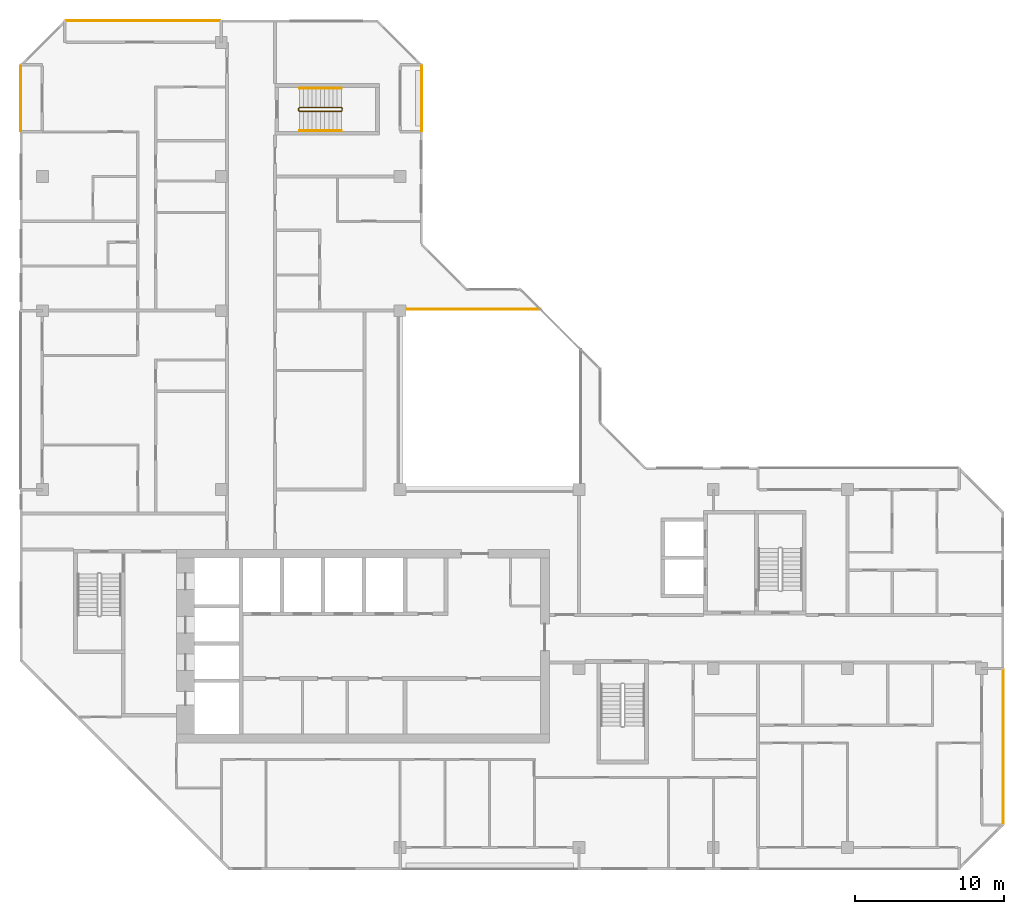
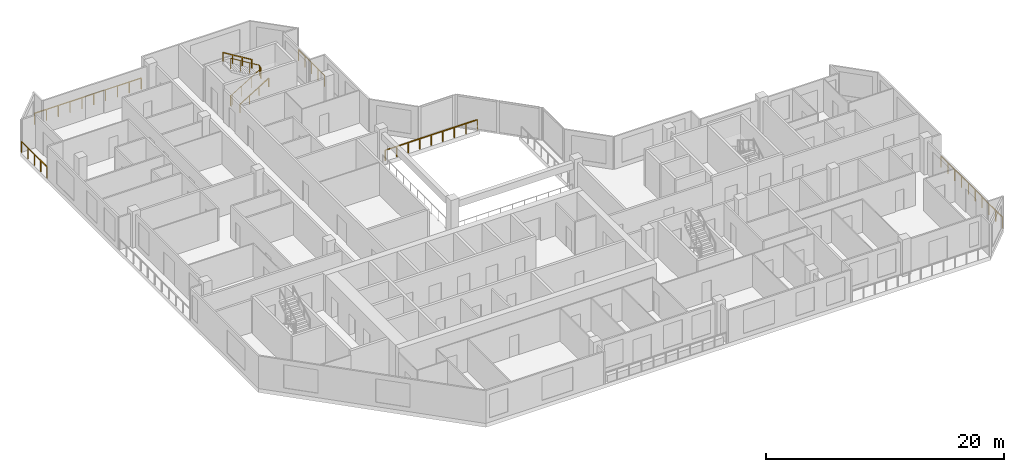
# One storey, part 13 of 13: 8 railings.
"""IFC4 building model written with IfcOpenShell, lengths in metres."""

from ifc_helpers import new_model, si_unit, direction, frame, origin, origin_2d, place, context, subcontext, project, spatial, rectangle, extrude, material, type_object, element, save


model = new_model("IFC4")

# Units and contexts
model_context = context("Model", 3, precision=1e-05, world=origin(), true_north=direction((0.0, 1.0)))
body_context = subcontext(model_context, "Body", "Model", "MODEL_VIEW")
ifc_project = project(units=[si_unit("LENGTHUNIT", "METRE"), si_unit("AREAUNIT", "SQUARE_METRE"), si_unit("VOLUMEUNIT", "CUBIC_METRE"), si_unit("PLANEANGLEUNIT", "RADIAN"), si_unit("MASSUNIT", "GRAM", prefix="KILO")], contexts=[model_context])

# Site, building, storey
site_placement = place(None, origin())
site = spatial("IfcSite", under=ifc_project, at=site_placement, CompositionType="ELEMENT")
building_placement = place(site_placement, origin())
building = spatial("IfcBuilding", under=site, at=building_placement, Name="Chenar Terraces", CompositionType="ELEMENT")
storey_placement = place(building_placement, frame((0.0, 0.0, 292.14990234375)))
storey = spatial("IfcBuildingStorey", under=building, at=storey_placement, Name="L68", CompositionType="ELEMENT", Elevation=292.14990234375)

# Railings
ifc_material_1 = material(Name="Powder-coated steel", Category="steel")
railing_type_1 = type_object("IfcRailingType", Name="Guard 1100 steel rail with glass infill", PredefinedType="GUARDRAIL", material=ifc_material_1)
railing_1_placement = place(storey_placement, frame((24.449951171875, 36.10009765625, 0.0)))
element("IfcRailing", 1, at=railing_1_placement, inside=storey, type_object=railing_type_1, Name="Guard L68-2", PredefinedType="GUARDRAIL", context=body_context, shape_type="SweptSolid", body=[
    extrude(rectangle(XDim=0.06005859375, YDim=0.06005859375, at=origin_2d()), frame((0.0, 0.0, 1.070068359375), z_axis=(1.0, 0.0, 0.0), x_axis=(0.0, 1.0, 0.0)), (0.0, 0.0, 1.0), 8.949951171875),
    extrude(rectangle(XDim=0.050048828125, YDim=0.050048828125, at=origin_2d()), origin(), (0.0, 0.0, 1.0), 1.0400390625),
    extrude(rectangle(XDim=0.050048828125, YDim=0.050048828125, at=origin_2d()), frame((1.11865234375, 0.0, 0.0)), (0.0, 0.0, 1.0), 1.0400390625),
    extrude(rectangle(XDim=0.050048828125, YDim=0.050048828125, at=origin_2d()), frame((2.237548828125, 0.0, 0.0)), (0.0, 0.0, 1.0), 1.0400390625),
    extrude(rectangle(XDim=0.050048828125, YDim=0.050048828125, at=origin_2d()), frame((3.356201171875, 0.0, 0.0)), (0.0, 0.0, 1.0), 1.0400390625),
    extrude(rectangle(XDim=0.050048828125, YDim=0.050048828125, at=origin_2d()), frame((4.47509765625, 0.0, 0.0)), (0.0, 0.0, 1.0), 1.0400390625),
    extrude(rectangle(XDim=0.050048828125, YDim=0.050048828125, at=origin_2d()), frame((5.59375, 0.0, 0.0)), (0.0, 0.0, 1.0), 1.0400390625),
    extrude(rectangle(XDim=0.050048828125, YDim=0.050048828125, at=origin_2d()), frame((6.71240234375, 0.0, 0.0)), (0.0, 0.0, 1.0), 1.0400390625),
    extrude(rectangle(XDim=0.050048828125, YDim=0.050048828125, at=origin_2d()), frame((7.831298828125, 0.0, 0.0)), (0.0, 0.0, 1.0), 1.0400390625),
    extrude(rectangle(XDim=0.050048828125, YDim=0.050048828125, at=origin_2d()), frame((8.949951171875, 0.0, 0.0)), (0.0, 0.0, 1.0), 1.0400390625),
])
ifc_material_2 = material(Name="Stainless steel and glass", Category="steel")
railing_type_2 = type_object("IfcRailingType", Name="Loggia guard 1150", PredefinedType="GUARDRAIL", material=ifc_material_2)
railing_2_placement = place(storey_placement, frame((25.449951171875, 48.074951171875, 0.0)))
element("IfcRailing", 2, at=railing_2_placement, inside=storey, type_object=railing_type_2, Name="Loggia guard", PredefinedType="GUARDRAIL", context=body_context, shape_type="SweptSolid", body=[
    extrude(rectangle(XDim=0.048095703125, YDim=0.048095703125, at=origin_2d()), frame((0.0, 0.0, 1.1259765625), z_axis=(0.0, 1.0, 0.0), x_axis=(-1.0, 0.0, 0.0)), (0.0, 0.0, 1.0), 4.35009765625),
    extrude(rectangle(XDim=0.0419921875, YDim=0.0419921875, at=origin_2d()), origin(), (0.0, 0.0, 1.0), 1.101806640625),
    extrude(rectangle(XDim=0.0419921875, YDim=0.0419921875, at=origin_2d()), frame((0.0, 1.08740234375, 0.0)), (0.0, 0.0, 1.0), 1.101806640625),
    extrude(rectangle(XDim=0.0419921875, YDim=0.0419921875, at=origin_2d()), frame((0.0, 2.175048828125, 0.0)), (0.0, 0.0, 1.0), 1.101806640625),
    extrude(rectangle(XDim=0.0419921875, YDim=0.0419921875, at=origin_2d()), frame((0.0, 3.2626953125, 0.0)), (0.0, 0.0, 1.0), 1.101806640625),
    extrude(rectangle(XDim=0.0419921875, YDim=0.0419921875, at=origin_2d()), frame((0.0, 4.35009765625, 0.0)), (0.0, 0.0, 1.0), 1.101806640625),
])
railing_3_placement = place(storey_placement, frame((64.449951171875, 1.574951171875, 0.0)))
element("IfcRailing", 3, at=railing_3_placement, inside=storey, type_object=railing_type_2, Name="Loggia guard", PredefinedType="GUARDRAIL", context=body_context, shape_type="SweptSolid", body=[
    extrude(rectangle(XDim=0.048095703125, YDim=0.048095703125, at=origin_2d()), frame((0.0, 0.0, 1.1259765625), z_axis=(0.0, 1.0, 0.0), x_axis=(-1.0, 0.0, 0.0)), (0.0, 0.0, 1.0), 10.35009765625),
    extrude(rectangle(XDim=0.0419921875, YDim=0.0419921875, at=origin_2d()), origin(), (0.0, 0.0, 1.0), 1.101806640625),
    extrude(rectangle(XDim=0.0419921875, YDim=0.0419921875, at=origin_2d()), frame((0.0, 1.14990234375, 0.0)), (0.0, 0.0, 1.0), 1.101806640625),
    extrude(rectangle(XDim=0.0419921875, YDim=0.0419921875, at=origin_2d()), frame((0.0, 2.300048828125, 0.0)), (0.0, 0.0, 1.0), 1.101806640625),
    extrude(rectangle(XDim=0.0419921875, YDim=0.0419921875, at=origin_2d()), frame((0.0, 3.449951171875, 0.0)), (0.0, 0.0, 1.0), 1.101806640625),
    extrude(rectangle(XDim=0.0419921875, YDim=0.0419921875, at=origin_2d()), frame((0.0, 4.60009765625, 0.0)), (0.0, 0.0, 1.0), 1.101806640625),
    extrude(rectangle(XDim=0.0419921875, YDim=0.0419921875, at=origin_2d()), frame((0.0, 5.75, 0.0)), (0.0, 0.0, 1.0), 1.101806640625),
    extrude(rectangle(XDim=0.0419921875, YDim=0.0419921875, at=origin_2d()), frame((0.0, 6.900146484375, 0.0)), (0.0, 0.0, 1.0), 1.101806640625),
    extrude(rectangle(XDim=0.0419921875, YDim=0.0419921875, at=origin_2d()), frame((0.0, 8.050048828125, 0.0)), (0.0, 0.0, 1.0), 1.101806640625),
    extrude(rectangle(XDim=0.0419921875, YDim=0.0419921875, at=origin_2d()), frame((0.0, 9.2001953125, 0.0)), (0.0, 0.0, 1.0), 1.101806640625),
    extrude(rectangle(XDim=0.0419921875, YDim=0.0419921875, at=origin_2d()), frame((0.0, 10.35009765625, 0.0)), (0.0, 0.0, 1.0), 1.101806640625),
])
railing_4_placement = place(storey_placement, frame((11.925048828125, 55.449951171875, 0.0)))
element("IfcRailing", 4, at=railing_4_placement, inside=storey, type_object=railing_type_2, Name="Loggia guard", PredefinedType="GUARDRAIL", context=body_context, shape_type="SweptSolid", body=[
    extrude(rectangle(XDim=0.048095703125, YDim=0.048095703125, at=origin_2d()), frame((0.0, 0.0, 1.1259765625), z_axis=(-1.0, 0.0, 0.0), x_axis=(0.0, -1.0, 0.0)), (0.0, 0.0, 1.0), 10.35009765625),
    extrude(rectangle(XDim=0.0419921875, YDim=0.0419921875, at=origin_2d()), origin(), (0.0, 0.0, 1.0), 1.101806640625),
    extrude(rectangle(XDim=0.0419921875, YDim=0.0419921875, at=origin_2d()), frame((-1.14990234375, 0.0, 0.0)), (0.0, 0.0, 1.0), 1.101806640625),
    extrude(rectangle(XDim=0.0419921875, YDim=0.0419921875, at=origin_2d()), frame((-2.300048828125, 0.0, 0.0)), (0.0, 0.0, 1.0), 1.101806640625),
    extrude(rectangle(XDim=0.0419921875, YDim=0.0419921875, at=origin_2d()), frame((-3.449951171875, 0.0, 0.0)), (0.0, 0.0, 1.0), 1.101806640625),
    extrude(rectangle(XDim=0.0419921875, YDim=0.0419921875, at=origin_2d()), frame((-4.60009765625, 0.0, 0.0)), (0.0, 0.0, 1.0), 1.101806640625),
    extrude(rectangle(XDim=0.0419921875, YDim=0.0419921875, at=origin_2d()), frame((-5.75, 0.0, 0.0)), (0.0, 0.0, 1.0), 1.101806640625),
    extrude(rectangle(XDim=0.0419921875, YDim=0.0419921875, at=origin_2d()), frame((-6.900146484375, 0.0, 0.0)), (0.0, 0.0, 1.0), 1.101806640625),
    extrude(rectangle(XDim=0.0419921875, YDim=0.0419921875, at=origin_2d()), frame((-8.050048828125, 0.0, 0.0)), (0.0, 0.0, 1.0), 1.101806640625),
    extrude(rectangle(XDim=0.0419921875, YDim=0.0419921875, at=origin_2d()), frame((-9.2001953125, 0.0, 0.0)), (0.0, 0.0, 1.0), 1.101806640625),
    extrude(rectangle(XDim=0.0419921875, YDim=0.0419921875, at=origin_2d()), frame((-10.35009765625, 0.0, 0.0)), (0.0, 0.0, 1.0), 1.101806640625),
])
railing_5_placement = place(storey_placement, frame((-1.449951171875, 52.425048828125, 0.0)))
element("IfcRailing", 5, at=railing_5_placement, inside=storey, type_object=railing_type_2, Name="Loggia guard", PredefinedType="GUARDRAIL", context=body_context, shape_type="SweptSolid", body=[
    extrude(rectangle(XDim=0.048095703125, YDim=0.048095703125, at=origin_2d()), frame((0.0, 0.0, 1.1259765625), z_axis=(0.0, -1.0, 0.0), x_axis=(1.0, 0.0, 0.0)), (0.0, 0.0, 1.0), 4.35009765625),
    extrude(rectangle(XDim=0.0419921875, YDim=0.0419921875, at=origin_2d()), origin(), (0.0, 0.0, 1.0), 1.101806640625),
    extrude(rectangle(XDim=0.0419921875, YDim=0.0419921875, at=origin_2d()), frame((0.0, -1.08740234375, 0.0)), (0.0, 0.0, 1.0), 1.101806640625),
    extrude(rectangle(XDim=0.0419921875, YDim=0.0419921875, at=origin_2d()), frame((0.0, -2.175048828125, 0.0)), (0.0, 0.0, 1.0), 1.101806640625),
    extrude(rectangle(XDim=0.0419921875, YDim=0.0419921875, at=origin_2d()), frame((0.0, -3.2626953125, 0.0)), (0.0, 0.0, 1.0), 1.101806640625),
    extrude(rectangle(XDim=0.0419921875, YDim=0.0419921875, at=origin_2d()), frame((0.0, -4.35009765625, 0.0)), (0.0, 0.0, 1.0), 1.101806640625),
])
ifc_material_3 = material(Name="Powder-coated steel", Category="steel")
railing_type_3 = type_object("IfcRailingType", Name="Stair guard 1100", PredefinedType="GUARDRAIL", material=ifc_material_3)
railing_6_placement = place(storey_placement, frame((17.25, 49.625, 3.75)))
element("IfcRailing", 6, at=railing_6_placement, inside=storey, type_object=railing_type_3, Name="L68 ST4 stair guard 1", PredefinedType="GUARDRAIL", context=body_context, shape_type="SweptSolid", body=[
    extrude(rectangle(XDim=0.048095703125, YDim=0.048095703125, at=origin_2d()), frame((0.0, 0.0, 1.076171875), z_axis=(0.854202870247, 0.0, -0.519939858505), x_axis=(0.0, 1.0, 0.0)), (0.0, 0.0, 1.0), 3.278076171875),
    extrude(rectangle(XDim=0.048095703125, YDim=0.048095703125, at=origin_2d()), frame((2.800048828125, 0.0, -0.62841796875), z_axis=(0.270899902878, -0.270899902878, -0.923702595667), x_axis=(0.707106781187, 0.707106781187, 0.0)), (0.0, 0.0, 1.0), 0.184814453125),
    extrude(rectangle(XDim=0.048095703125, YDim=0.048095703125, at=origin_2d()), frame((2.85009765625, -0.050048828125, -0.798828125), z_axis=(0.0, -1.0, 0.0), x_axis=(1.0, 0.0, 0.0)), (0.0, 0.0, 1.0), 0.14990234375),
    extrude(rectangle(XDim=0.048095703125, YDim=0.048095703125, at=origin_2d()), frame((2.85009765625, -0.199951171875, -0.798828125), z_axis=(-0.707106781187, -0.707106781187, 0.0), x_axis=(0.707106781187, -0.707106781187, 0.0)), (0.0, 0.0, 1.0), 0.07080078125),
    extrude(rectangle(XDim=0.048095703125, YDim=0.048095703125, at=origin_2d()), frame((2.800048828125, -0.25, -0.798828125), z_axis=(-0.854202870247, 0.0, -0.519939858505), x_axis=(0.0, -1.0, 0.0)), (0.0, 0.0, 1.0), 3.278076171875),
    extrude(rectangle(XDim=0.048095703125, YDim=0.048095703125, at=origin_2d()), frame((0.0, -0.25, -2.50341796875), z_axis=(-0.270899902878, 0.270899902878, -0.923702595667), x_axis=(-0.707106781187, -0.707106781187, 0.0)), (0.0, 0.0, 1.0), 0.184814453125),
    extrude(rectangle(XDim=0.048095703125, YDim=0.048095703125, at=origin_2d()), frame((-0.050048828125, -0.199951171875, -2.673828125), z_axis=(0.0, 1.0, 0.0), x_axis=(-1.0, 0.0, 0.0)), (0.0, 0.0, 1.0), 0.14990234375),
    extrude(rectangle(XDim=0.0419921875, YDim=0.0419921875, at=origin_2d()), origin(), (0.0, 0.0, 1.0), 1.052001953125),
    extrude(rectangle(XDim=0.0419921875, YDim=0.0419921875, at=origin_2d()), frame((0.933349609375, 0.0, -0.568115234375)), (0.0, 0.0, 1.0), 1.052001953125),
    extrude(rectangle(XDim=0.0419921875, YDim=0.0419921875, at=origin_2d()), frame((1.86669921875, 0.0, -1.13623046875)), (0.0, 0.0, 1.0), 1.052001953125),
    extrude(rectangle(XDim=0.0419921875, YDim=0.0419921875, at=origin_2d()), frame((2.800048828125, 0.0, -1.704345703125)), (0.0, 0.0, 1.0), 1.052001953125),
    extrude(rectangle(XDim=0.0419921875, YDim=0.0419921875, at=origin_2d()), frame((2.85009765625, -0.050048828125, -1.875)), (0.0, 0.0, 1.0), 1.052001953125),
    extrude(rectangle(XDim=0.0419921875, YDim=0.0419921875, at=origin_2d()), frame((2.85009765625, -0.199951171875, -1.875)), (0.0, 0.0, 1.0), 1.052001953125),
    extrude(rectangle(XDim=0.0419921875, YDim=0.0419921875, at=origin_2d()), frame((2.800048828125, -0.25, -1.875)), (0.0, 0.0, 1.0), 1.052001953125),
    extrude(rectangle(XDim=0.0419921875, YDim=0.0419921875, at=origin_2d()), frame((1.86669921875, -0.25, -2.443115234375)), (0.0, 0.0, 1.0), 1.052001953125),
    extrude(rectangle(XDim=0.0419921875, YDim=0.0419921875, at=origin_2d()), frame((0.933349609375, -0.25, -3.01123046875)), (0.0, 0.0, 1.0), 1.052001953125),
    extrude(rectangle(XDim=0.0419921875, YDim=0.0419921875, at=origin_2d()), frame((0.0, -0.25, -3.579345703125)), (0.0, 0.0, 1.0), 1.052001953125),
    extrude(rectangle(XDim=0.0419921875, YDim=0.0419921875, at=origin_2d()), frame((-0.050048828125, -0.199951171875, -3.75)), (0.0, 0.0, 1.0), 1.052001953125),
    extrude(rectangle(XDim=0.0419921875, YDim=0.0419921875, at=origin_2d()), frame((-0.050048828125, -0.050048828125, -3.75)), (0.0, 0.0, 1.0), 1.052001953125),
])
ifc_material_4 = material(Name="Powder-coated steel", Category="steel")
railing_type_4 = type_object("IfcRailingType", Name="Stair handrail 900", PredefinedType="HANDRAIL", material=ifc_material_4)
railing_7_placement = place(storey_placement, frame((17.25, 48.074951171875, 0.170654296875)))
element("IfcRailing", 7, at=railing_7_placement, inside=storey, type_object=railing_type_4, Name="L68 ST4 stair handrail 1", PredefinedType="HANDRAIL", context=body_context, shape_type="SweptSolid", body=[
    extrude(rectangle(XDim=0.048095703125, YDim=0.048095703125, at=origin_2d()), frame((0.0, 0.0, 0.8759765625), z_axis=(0.854202870247, 0.0, 0.519939858505), x_axis=(0.0, 1.0, 0.0)), (0.0, 0.0, 1.0), 3.278076171875),
    extrude(rectangle(XDim=0.0419921875, YDim=0.0419921875, at=origin_2d()), origin(), (0.0, 0.0, 1.0), 0.851806640625),
    extrude(rectangle(XDim=0.0419921875, YDim=0.0419921875, at=origin_2d()), frame((0.933349609375, 0.0, 0.568115234375)), (0.0, 0.0, 1.0), 0.851806640625),
    extrude(rectangle(XDim=0.0419921875, YDim=0.0419921875, at=origin_2d()), frame((1.86669921875, 0.0, 1.13623046875)), (0.0, 0.0, 1.0), 0.851806640625),
    extrude(rectangle(XDim=0.0419921875, YDim=0.0419921875, at=origin_2d()), frame((2.800048828125, 0.0, 1.704345703125)), (0.0, 0.0, 1.0), 0.851806640625),
])
railing_8_placement = place(storey_placement, frame((20.050048828125, 50.925048828125, 2.045654296875)))
element("IfcRailing", 8, at=railing_8_placement, inside=storey, type_object=railing_type_4, Name="L68 ST4 stair handrail 2", PredefinedType="HANDRAIL", context=body_context, shape_type="SweptSolid", body=[
    extrude(rectangle(XDim=0.048095703125, YDim=0.048095703125, at=origin_2d()), frame((0.0, 0.0, 0.8759765625), z_axis=(-0.854202870247, 0.0, 0.519939858505), x_axis=(0.0, -1.0, 0.0)), (0.0, 0.0, 1.0), 3.278076171875),
    extrude(rectangle(XDim=0.0419921875, YDim=0.0419921875, at=origin_2d()), origin(), (0.0, 0.0, 1.0), 0.851806640625),
    extrude(rectangle(XDim=0.0419921875, YDim=0.0419921875, at=origin_2d()), frame((-0.933349609375, 0.0, 0.568115234375)), (0.0, 0.0, 1.0), 0.851806640625),
    extrude(rectangle(XDim=0.0419921875, YDim=0.0419921875, at=origin_2d()), frame((-1.86669921875, 0.0, 1.13623046875)), (0.0, 0.0, 1.0), 0.851806640625),
    extrude(rectangle(XDim=0.0419921875, YDim=0.0419921875, at=origin_2d()), frame((-2.800048828125, 0.0, 1.704345703125)), (0.0, 0.0, 1.0), 0.851806640625),
])

save(model, "model.ifc")
